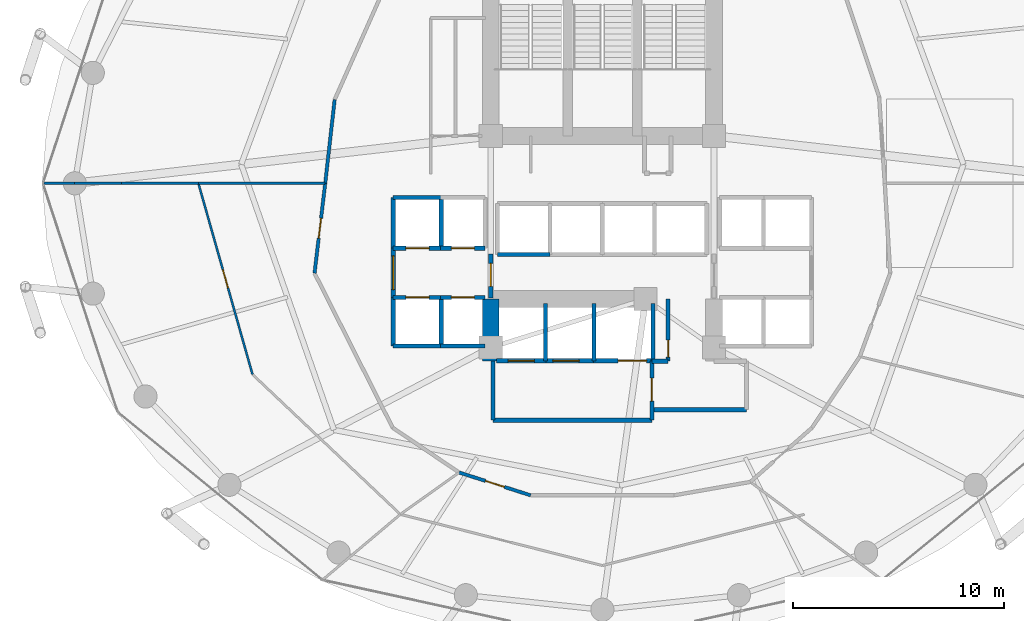
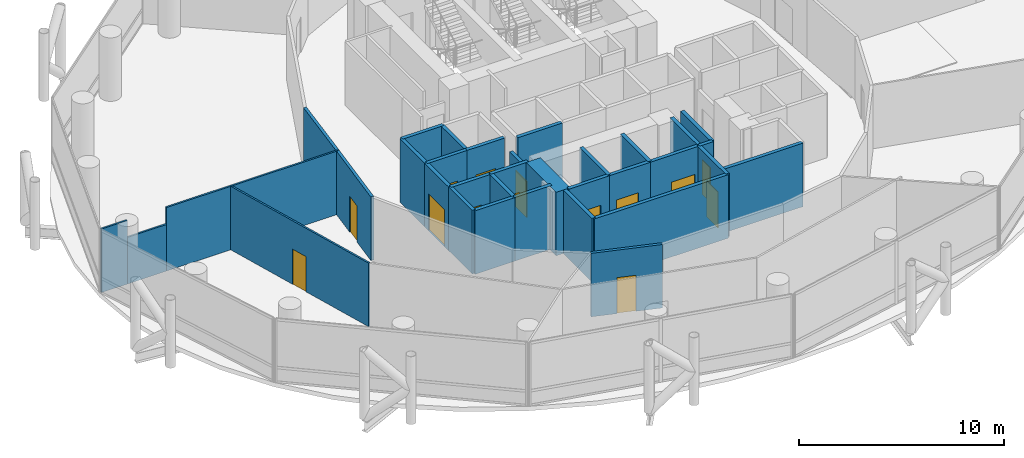
# One storey, part 21 of 24: 35 walls, 14 doors, 14 openings.
"""IFC4 building model written with IfcOpenShell, lengths in metres."""

from ifc_helpers import new_model, si_unit, direction, frame, frame_2d, origin, place, context, subcontext, project, spatial, rectangle, extrude, material, layer, layer_set, type_object, element, fill, save


model = new_model("IFC4")

# Units and contexts
model_context = context("Model", 3, precision=1e-05, world=origin(), true_north=direction((0.0, 1.0)))
body_context = subcontext(model_context, "Body", "Model", "MODEL_VIEW")
ifc_project = project(units=[si_unit("LENGTHUNIT", "METRE"), si_unit("AREAUNIT", "SQUARE_METRE"), si_unit("VOLUMEUNIT", "CUBIC_METRE"), si_unit("PLANEANGLEUNIT", "RADIAN"), si_unit("MASSUNIT", "GRAM", prefix="KILO")], contexts=[model_context])

# Site, building, storey
site_placement = place(None, origin())
site = spatial("IfcSite", under=ifc_project, at=site_placement, CompositionType="ELEMENT")
building_placement = place(site_placement, origin())
building = spatial("IfcBuilding", under=site, at=building_placement, Name="Nuhasar Tower", CompositionType="ELEMENT")
storey_placement = place(building_placement, frame((0.0, 0.0, 37.199951171875)))
storey = spatial("IfcBuildingStorey", under=building, at=storey_placement, Name="L08", CompositionType="ELEMENT", Elevation=37.199951171875)

# Walls
ifc_material_1 = material(Name="Concrete C80/95", Category="concrete")
ifc_layer_1 = layer(ifc_material_1, 0.800048828125)
ifc_layer_set_1 = layer_set([ifc_layer_1], Name="Concrete C80/95")
wall_type_1 = type_object("IfcWallType", Name="WL-CORE-800", PredefinedType="SHEAR", material=ifc_layer_set_1)
wall_1_placement = place(storey_placement, frame((33.699951171875, 18.35009765625, 0.0), z_axis=(0.0, 0.0, 1.0), x_axis=(0.0, 1.0, 0.0)))
element("IfcWall", 1, at=wall_1_placement, inside=storey, type_object=wall_type_1, Name="L08 Core Shear Wall CW-SW CW-800", PredefinedType="SHEAR", context=body_context, shape_type="SweptSolid", body=[
    extrude(rectangle(XDim=2.949951171875, YDim=0.800048828125, at=frame_2d((1.47509765625, 0.0))), origin(), (0.0, 0.0, 1.0), 3.7900390625),
])
ifc_material_2 = material(Name="Gypsum Board", Category="gypsum")
ifc_layer_2 = layer(ifc_material_2, 0.159912109375)
ifc_layer_set_2 = layer_set([ifc_layer_2], Name="Gypsum Board")
wall_type_2 = type_object("IfcWallType", Name="WL-CORR-160", PredefinedType="PARTITIONING", material=ifc_layer_set_2)
wall_2_placement = place(storey_placement, frame((26.2880859375, 30.77001953125, 0.0), z_axis=(0.0, 0.0, 1.0), x_axis=(-0.112134962735, -0.993692985852, 0.0)))
element("IfcWall", 2, at=wall_2_placement, inside=storey, type_object=wall_type_2, Name="L08 Interior Partition CORR-22", PredefinedType="PARTITIONING", context=body_context, shape_type="SweptSolid", body=[
    extrude(rectangle(XDim=3.9951171875, YDim=0.159912109375, at=frame_2d((1.99755859375, 0.0))), origin(), (0.0, 0.0, 1.0), 3.7900390625),
])

# Wall, opening, door
wall_3_placement = place(storey_placement, frame((25.3330078125, 22.531982421875, 0.0), z_axis=(0.0, 0.0, 1.0), x_axis=(0.117978184462, 0.993016187175, 0.0)))
wall_3 = element("IfcWall", 3, at=wall_3_placement, inside=storey, type_object=wall_type_2, Name="L08 Interior Partition CORR-24", PredefinedType="PARTITIONING", context=body_context, shape_type="SweptSolid", body=[
    extrude(rectangle(XDim=4.298095703125, YDim=0.159912109375, at=frame_2d((2.14892578125, 0.0))), origin(), (0.0, 0.0, 1.0), 3.7900390625),
])
opening_1_placement = place(wall_3_placement, frame((1.674072265625, 0.0, 0.0)))
opening_1 = element("IfcOpeningElement", 4, at=opening_1_placement, cuts=wall_3, Name="Opening DO-01", PredefinedType="OPENING", context=body_context, shape_type="SweptSolid", body=[
    extrude(rectangle(XDim=0.949951171875, YDim=2.14990234375, at=frame_2d((0.47509765625, 1.074951171875))), frame((0.0, 0.08984375, 0.0), z_axis=(0.0, -1.0, 0.0), x_axis=(1.0, 0.0, 0.0)), (0.0, 0.0, 1.0), 0.179931640625),
])
ifc_material_3 = material(Name="Timber Oak", Category="wood")
door_type_1 = type_object("IfcDoorType", Name="DR-OFFICE-FD30-950", OperationType="NOTDEFINED", PredefinedType="DOOR", material=ifc_material_3)
door_1_placement = place(opening_1_placement, origin())
door_1 = element("IfcDoor", 5, at=door_1_placement, inside=storey, type_object=door_type_1, Name="L08 South-West Executive Partners Office Entry Door", OperationType="SINGLE_SWING_LEFT", OverallHeight=2.14990234375, OverallWidth=0.949951171875, PredefinedType="DOOR", context=body_context, shape_type="SweptSolid", body=[
    extrude(rectangle(XDim=0.949951171875, YDim=2.14990234375, at=frame_2d((0.47509765625, 1.074951171875))), frame((0.0, 0.02490234375, 0.0), z_axis=(0.0, -1.0, 0.0), x_axis=(1.0, 0.0, 0.0)), (0.0, 0.0, 1.0), 0.050048828125),
])
fill(opening_1, door_1)

wall_4_placement = place(storey_placement, frame((35.593994140625, 11.98291015625, 0.0), z_axis=(0.0, 0.0, 1.0), x_axis=(-0.952646548559, 0.304079847275, 0.0)))
wall_4 = element("IfcWall", 6, at=wall_4_placement, inside=storey, type_object=wall_type_2, Name="L08 Interior Partition CORR-32", PredefinedType="PARTITIONING", context=body_context, shape_type="SweptSolid", body=[
    extrude(rectangle(XDim=3.564697265625, YDim=0.159912109375, at=frame_2d((1.7822265625, 0.0))), origin(), (0.0, 0.0, 1.0), 3.7900390625),
])
opening_2_placement = place(wall_4_placement, frame((1.306884765625, 0.0, 0.0)))
opening_2 = element("IfcOpeningElement", 7, at=opening_2_placement, cuts=wall_4, Name="Opening DO-01", PredefinedType="OPENING", context=body_context, shape_type="SweptSolid", body=[
    extrude(rectangle(XDim=0.949951171875, YDim=2.14990234375, at=frame_2d((0.47509765625, 1.074951171875))), frame((0.0, 0.08984375, 0.0), z_axis=(0.0, -1.0, 0.0), x_axis=(1.0, 0.0, 0.0)), (0.0, 0.0, 1.0), 0.179931640625),
])
door_2_placement = place(opening_2_placement, origin())
door_2 = element("IfcDoor", 8, at=door_2_placement, inside=storey, type_object=door_type_1, Name="L08 South-Central Advisory Office Entry Door", OperationType="SINGLE_SWING_RIGHT", OverallHeight=2.14990234375, OverallWidth=0.949951171875, PredefinedType="DOOR", context=body_context, shape_type="SweptSolid", body=[
    extrude(rectangle(XDim=0.949951171875, YDim=2.14990234375, at=frame_2d((0.47509765625, 1.074951171875))), frame((0.0, 0.02490234375, 0.0), z_axis=(0.0, -1.0, 0.0), x_axis=(1.0, 0.0, 0.0)), (0.0, 0.0, 1.0), 0.050048828125),
])
fill(opening_2, door_2)

ifc_material_4 = material(Name="Concrete C45/55", Category="concrete")
ifc_layer_3 = layer(ifc_material_4, 0.199951171875)
ifc_layer_set_3 = layer_set([ifc_layer_3], Name="Concrete C45/55")
wall_type_3 = type_object("IfcWallType", Name="WL-LOBBY-200", PredefinedType="SOLIDWALL", material=ifc_layer_set_3)
wall_5_placement = place(storey_placement, frame((29.070068359375, 21.3798828125, 0.0), z_axis=(0.0, 0.0, 1.0), x_axis=(0.0, 1.0, 0.0)))
wall_5 = element("IfcWall", 9, at=wall_5_placement, inside=storey, type_object=wall_type_3, Name="L08 Interior Partition LLBL-W", PredefinedType="SOLIDWALL", context=body_context, shape_type="SweptSolid", body=[
    extrude(rectangle(XDim=2.340087890625, YDim=0.199951171875, at=frame_2d((1.169921875, 0.0))), origin(), (0.0, 0.0, 1.0), 3.7900390625),
])
opening_3_placement = place(wall_5_placement, frame((0.3701171875, 0.0, 0.0)))
opening_3 = element("IfcOpeningElement", 10, at=opening_3_placement, cuts=wall_5, Name="Opening DC-01", PredefinedType="OPENING", context=body_context, shape_type="SweptSolid", body=[
    extrude(rectangle(XDim=1.60009765625, YDim=2.199951171875, at=frame_2d((0.800048828125, 1.10009765625))), frame((0.0, 0.10986328125, 0.0), z_axis=(0.0, -1.0, 0.0), x_axis=(1.0, 0.0, 0.0)), (0.0, 0.0, 1.0), 0.219970703125),
])
ifc_material_5 = material(Name="Steel S355", Category="steel")
door_type_2 = type_object("IfcDoorType", Name="DR-CORR-FD60-1600", OperationType="DOUBLE_DOOR_SINGLE_SWING", PredefinedType="DOOR", material=ifc_material_5)
door_3_placement = place(opening_3_placement, origin())
door_3 = element("IfcDoor", 11, at=door_3_placement, inside=storey, type_object=door_type_2, Name="L08 Low-Rise Lift Lobby West Entry", OperationType="DOUBLE_DOOR_SINGLE_SWING", OverallHeight=2.199951171875, OverallWidth=1.60009765625, PredefinedType="DOOR", context=body_context, shape_type="SweptSolid", body=[
    extrude(rectangle(XDim=1.60009765625, YDim=2.199951171875, at=frame_2d((0.800048828125, 1.10009765625))), frame((0.0, 0.02490234375, 0.0), z_axis=(0.0, -1.0, 0.0), x_axis=(1.0, 0.0, 0.0)), (0.0, 0.0, 1.0), 0.050048828125),
])
fill(opening_3, door_3)

wall_6_placement = place(storey_placement, frame((33.699951171875, 21.35009765625, 0.0), z_axis=(0.0, 0.0, 1.0), x_axis=(0.0, 1.0, 0.0)))
wall_6 = element("IfcWall", 12, at=wall_6_placement, inside=storey, type_object=wall_type_3, Name="L08 Interior Partition LLBH-W", PredefinedType="SOLIDWALL", context=body_context, shape_type="SweptSolid", body=[
    extrude(rectangle(XDim=2.099853515625, YDim=0.199951171875, at=frame_2d((1.0498046875, 0.0))), origin(), (0.0, 0.0, 1.0), 3.010009765625),
])
opening_4_placement = place(wall_6_placement, frame((0.550048828125, 0.0, 0.0)))
opening_4 = element("IfcOpeningElement", 13, at=opening_4_placement, cuts=wall_6, Name="Opening DS-02", PredefinedType="OPENING", context=body_context, shape_type="SweptSolid", body=[
    extrude(rectangle(XDim=1.10009765625, YDim=2.14990234375, at=frame_2d((0.550048828125, 1.074951171875))), frame((0.0, 0.10986328125, 0.0), z_axis=(0.0, -1.0, 0.0), x_axis=(1.0, 0.0, 0.0)), (0.0, 0.0, 1.0), 0.219970703125),
])
door_type_3 = type_object("IfcDoorType", Name="DR-FFL-FD120-1100", OperationType="NOTDEFINED", PredefinedType="DOOR", material=ifc_material_5)
door_4_placement = place(opening_4_placement, origin())
door_4 = element("IfcDoor", 14, at=door_4_placement, inside=storey, type_object=door_type_3, Name="L08 High-Rise Lobby West Door", OperationType="SINGLE_SWING_RIGHT", OverallHeight=2.14990234375, OverallWidth=1.10009765625, PredefinedType="DOOR", context=body_context, shape_type="SweptSolid", body=[
    extrude(rectangle(XDim=1.10009765625, YDim=2.14990234375, at=frame_2d((0.550048828125, 1.074951171875))), frame((0.0, 0.02490234375, 0.0), z_axis=(0.0, -1.0, 0.0), x_axis=(1.0, 0.0, 0.0)), (0.0, 0.0, 1.0), 0.050048828125),
])
fill(opening_4, door_4)

# Walls
wall_7_placement = place(storey_placement, frame((33.800048828125, 15.550048828125, 0.0), z_axis=(0.0, 0.0, 1.0), x_axis=(1.0, 0.0, 0.0)))
element("IfcWall", 15, at=wall_7_placement, inside=storey, type_object=wall_type_3, Name="L08 Interior Partition FFL-S", PredefinedType="SOLIDWALL", context=body_context, shape_type="SweptSolid", body=[
    extrude(rectangle(XDim=7.550048828125, YDim=0.199951171875, at=frame_2d((3.77490234375, 0.0))), origin(), (0.0, 0.0, 1.0), 3.7900390625),
])
wall_8_placement = place(storey_placement, frame((33.800048828125, 15.550048828125, 0.0), z_axis=(0.0, 0.0, 1.0), x_axis=(0.0, 1.0, 0.0)))
element("IfcWall", 16, at=wall_8_placement, inside=storey, type_object=wall_type_3, Name="L08 Interior Partition FFL-W", PredefinedType="SOLIDWALL", context=body_context, shape_type="SweptSolid", body=[
    extrude(rectangle(XDim=2.800048828125, YDim=0.199951171875, at=frame_2d((1.39990234375, 0.0))), origin(), (0.0, 0.0, 1.0), 3.7900390625),
])

# Wall, opening, door
wall_9_placement = place(storey_placement, frame((41.35009765625, 15.550048828125, 0.0), z_axis=(0.0, 0.0, 1.0), x_axis=(0.0, 1.0, 0.0)))
wall_9 = element("IfcWall", 17, at=wall_9_placement, inside=storey, type_object=wall_type_3, Name="L08 Interior Partition FFL-E", PredefinedType="SOLIDWALL", context=body_context, shape_type="SweptSolid", body=[
    extrude(rectangle(XDim=2.800048828125, YDim=0.199951171875, at=frame_2d((1.39990234375, 0.0))), origin(), (0.0, 0.0, 1.0), 3.7900390625),
])
opening_5_placement = place(wall_9_placement, frame((0.89990234375, 0.0, 0.0)))
opening_5 = element("IfcOpeningElement", 18, at=opening_5_placement, cuts=wall_9, Name="Opening DS-02", PredefinedType="OPENING", context=body_context, shape_type="SweptSolid", body=[
    extrude(rectangle(XDim=1.10009765625, YDim=2.14990234375, at=frame_2d((0.550048828125, 1.074951171875))), frame((0.0, 0.10986328125, 0.0), z_axis=(0.0, -1.0, 0.0), x_axis=(1.0, 0.0, 0.0)), (0.0, 0.0, 1.0), 0.219970703125),
])
door_5_placement = place(opening_5_placement, origin())
door_5 = element("IfcDoor", 19, at=door_5_placement, inside=storey, type_object=door_type_3, Name="L08 Firefighting Lobby Door", OperationType="SINGLE_SWING_RIGHT", OverallHeight=2.14990234375, OverallWidth=1.10009765625, PredefinedType="DOOR", context=body_context, shape_type="SweptSolid", body=[
    extrude(rectangle(XDim=1.10009765625, YDim=2.14990234375, at=frame_2d((0.550048828125, 1.074951171875))), frame((0.0, 0.02490234375, 0.0), z_axis=(0.0, -1.0, 0.0), x_axis=(1.0, 0.0, 0.0)), (0.0, 0.0, 1.0), 0.050048828125),
])
fill(opening_5, door_5)

# Walls
wall_10_placement = place(storey_placement, frame((41.35009765625, 16.050048828125, 0.0), z_axis=(0.0, 0.0, 1.0), x_axis=(1.0, 0.0, 0.0)))
element("IfcWall", 20, at=wall_10_placement, inside=storey, type_object=wall_type_3, Name="L08 Interior Partition SVLV-S", PredefinedType="SOLIDWALL", context=body_context, shape_type="SweptSolid", body=[
    extrude(rectangle(XDim=4.5, YDim=0.199951171875, at=frame_2d((2.25, 0.0))), origin(), (0.0, 0.0, 1.0), 3.7900390625),
])
ifc_material_6 = material(Name="Aluminium 6063-T6", Category="aluminium")
ifc_layer_4 = layer(ifc_material_6, 0.10009765625)
ifc_layer_set_4 = layer_set([ifc_layer_4], Name="Aluminium 6063-T6")
wall_type_4 = type_object("IfcWallType", Name="WL-MOVABLE-100", PredefinedType="MOVABLE", material=ifc_layer_set_4)
wall_11_placement = place(storey_placement, frame((25.840087890625, 26.800048828125, 0.0), z_axis=(0.0, 0.0, 1.0), x_axis=(-1.0, 0.0, 0.0)))
element("IfcWall", 21, at=wall_11_placement, inside=storey, type_object=wall_type_4, Name="L08 Interior Partition ORAD-24-S1", PredefinedType="MOVABLE", context=body_context, shape_type="SweptSolid", body=[
    extrude(rectangle(XDim=6.023193359375, YDim=0.10009765625, at=frame_2d((3.01171875, 0.0))), origin(), (0.0, 0.0, 1.0), 3.7900390625),
])
wall_12_placement = place(storey_placement, frame((19.81689453125, 26.800048828125, 0.0), z_axis=(0.0, 0.0, 1.0), x_axis=(-1.0, 0.0, 0.0)))
element("IfcWall", 22, at=wall_12_placement, inside=storey, type_object=wall_type_4, Name="L08 Interior Partition ORAD-24-S2", PredefinedType="MOVABLE", context=body_context, shape_type="SweptSolid", body=[
    extrude(rectangle(XDim=3.656982421875, YDim=0.10009765625, at=frame_2d((1.82861328125, 0.0))), origin(), (0.0, 0.0, 1.0), 3.7900390625),
])
wall_13_placement = place(storey_placement, frame((16.159912109375, 26.800048828125, 0.0), z_axis=(0.0, 0.0, 1.0), x_axis=(-1.0, 0.0, 0.0)))
element("IfcWall", 23, at=wall_13_placement, inside=storey, type_object=wall_type_4, Name="L08 Interior Partition ORAD-24-S2", PredefinedType="MOVABLE", context=body_context, shape_type="SweptSolid", body=[
    extrude(rectangle(XDim=2.2158203125, YDim=0.10009765625, at=frame_2d((1.10791015625, 0.0))), origin(), (0.0, 0.0, 1.0), 2.780029296875),
])
wall_14_placement = place(storey_placement, frame((13.944091796875, 26.800048828125, 0.0), z_axis=(0.0, 0.0, 1.0), x_axis=(-1.0, 0.0, 0.0)))
element("IfcWall", 24, at=wall_14_placement, inside=storey, type_object=wall_type_4, Name="L08 Interior Partition ORAD-24-S2", PredefinedType="MOVABLE", context=body_context, shape_type="SweptSolid", body=[
    extrude(rectangle(XDim=1.468994140625, YDim=0.10009765625, at=frame_2d((0.734375, 0.0))), origin(), (0.0, 0.0, 1.0), 3.7900390625),
])

# Wall, opening, door
wall_15_placement = place(storey_placement, frame((22.386962890625, 17.72412109375, 0.0), z_axis=(0.0, 0.0, 1.0), x_axis=(-0.272460813616, 0.962166880039, 0.0)))
wall_15 = element("IfcWall", 25, at=wall_15_placement, inside=storey, type_object=wall_type_4, Name="L08 Interior Partition OMID-03-24", PredefinedType="MOVABLE", context=body_context, shape_type="SweptSolid", body=[
    extrude(rectangle(XDim=9.432861328125, YDim=0.10009765625, at=frame_2d((4.71630859375, 0.0))), origin(), (0.0, 0.0, 1.0), 3.7900390625),
])
opening_6_placement = place(wall_15_placement, frame((4.26611328125, 0.0, 0.0)))
opening_6 = element("IfcOpeningElement", 26, at=opening_6_placement, cuts=wall_15, Name="Opening DR-01", PredefinedType="OPENING", context=body_context, shape_type="SweptSolid", body=[
    extrude(rectangle(XDim=0.89990234375, YDim=2.10009765625, at=frame_2d((0.449951171875, 1.050048828125))), frame((0.0, 0.06005859375, 0.0), z_axis=(0.0, -1.0, 0.0), x_axis=(1.0, 0.0, 0.0)), (0.0, 0.0, 1.0), 0.1201171875),
])
door_type_4 = type_object("IfcDoorType", Name="DR-ROOM-900", OperationType="NOTDEFINED", PredefinedType="DOOR", material=ifc_material_3)
door_6_placement = place(opening_6_placement, origin())
door_6 = element("IfcDoor", 27, at=door_6_placement, inside=storey, type_object=door_type_4, Name="L08 South-West Executive Partners Office Inner Door", OperationType="SINGLE_SWING_LEFT", OverallHeight=2.10009765625, OverallWidth=0.89990234375, PredefinedType="DOOR", context=body_context, shape_type="SweptSolid", body=[
    extrude(rectangle(XDim=0.89990234375, YDim=2.10009765625, at=frame_2d((0.449951171875, 1.050048828125))), frame((0.0, 0.02490234375, 0.0), z_axis=(0.0, -1.0, 0.0), x_axis=(1.0, 0.0, 0.0)), (0.0, 0.0, 1.0), 0.050048828125),
])
fill(opening_6, door_6)

ifc_layer_5 = layer(ifc_material_4, 0.199951171875)
ifc_layer_set_5 = layer_set([ifc_layer_5], Name="Concrete C45/55")
wall_type_5 = type_object("IfcWallType", Name="WL-SHAFT-200", PredefinedType="SOLIDWALL", material=ifc_layer_set_5)
wall_16_placement = place(storey_placement, frame((29.070068359375, 23.719970703125, 0.0), z_axis=(0.0, 0.0, 1.0), x_axis=(1.0, 0.0, 0.0)))
wall_16 = element("IfcWall", 28, at=wall_16_placement, inside=storey, type_object=wall_type_5, Name="L08 Interior Partition SHF-PL-L01-S", PredefinedType="SOLIDWALL", context=body_context, shape_type="SweptSolid", body=[
    extrude(rectangle(XDim=2.309814453125, YDim=0.199951171875, at=frame_2d((1.15478515625, 0.0))), origin(), (0.0, 0.0, 1.0), 3.7900390625),
])
opening_7_placement = place(wall_16_placement, frame((0.60498046875, 0.0, 0.0)))
opening_7 = element("IfcOpeningElement", 29, at=opening_7_placement, cuts=wall_16, Name="Opening LD-L01", PredefinedType="OPENING", context=body_context, shape_type="SweptSolid", body=[
    extrude(rectangle(XDim=1.10009765625, YDim=2.14990234375, at=frame_2d((0.550048828125, 1.074951171875))), frame((0.0, 0.10986328125, 0.0), z_axis=(0.0, -1.0, 0.0), x_axis=(1.0, 0.0, 0.0)), (0.0, 0.0, 1.0), 0.219970703125),
])
ifc_material_7 = material(Name="Stainless Steel 316L", Category="steel")
door_type_5 = type_object("IfcDoorType", Name="LD-PAX-1100", OperationType="DOUBLE_DOOR_SLIDING", PredefinedType="DOOR", material=ifc_material_7)
door_7_placement = place(opening_7_placement, origin())
door_7 = element("IfcDoor", 30, at=door_7_placement, inside=storey, type_object=door_type_5, Name="L08 Lift Landing Door PL-L01", OperationType="DOUBLE_DOOR_SLIDING", OverallHeight=2.14990234375, OverallWidth=1.10009765625, PredefinedType="DOOR", context=body_context, shape_type="SweptSolid", body=[
    extrude(rectangle(XDim=1.10009765625, YDim=2.14990234375, at=frame_2d((0.550048828125, 1.074951171875))), frame((0.0, 0.02490234375, 0.0), z_axis=(0.0, -1.0, 0.0), x_axis=(1.0, 0.0, 0.0)), (0.0, 0.0, 1.0), 0.050048828125),
])
fill(opening_7, door_7)

# Walls
wall_17_placement = place(storey_placement, frame((29.070068359375, 26.1298828125, 0.0), z_axis=(0.0, 0.0, 1.0), x_axis=(1.0, 0.0, 0.0)))
element("IfcWall", 31, at=wall_17_placement, inside=storey, type_object=wall_type_5, Name="L08 Interior Partition SHF-PL-L01-N", PredefinedType="SOLIDWALL", context=body_context, shape_type="SweptSolid", body=[
    extrude(rectangle(XDim=2.309814453125, YDim=0.199951171875, at=frame_2d((1.15478515625, 0.0))), origin(), (0.0, 0.0, 1.0), 3.7900390625),
])
for number, where, z_axis, x_axis, name in (
    (32, (29.070068359375, 23.719970703125, 0.0), (0.0, 0.0, 1.0), (0.0, 1.0, 0.0), "L08 Interior Partition SHF-PL-L01-W"),
    (33, (31.35009765625, 23.719970703125, 0.0), (0.0, 0.0, 1.0), (0.0, 1.0, 0.0), "L08 Interior Partition SHF-PL-L01-E"),
):
    element("IfcWall", number, at=place(storey_placement, frame(where, z_axis=z_axis, x_axis=x_axis)), inside=storey, type_object=wall_type_5, Name=name, PredefinedType="SOLIDWALL", context=body_context, shape_type="SweptSolid", body=[
        extrude(rectangle(XDim=2.409912109375, YDim=0.199951171875, at=frame_2d((1.205078125, 0.0))), origin(), (0.0, 0.0, 1.0), 3.7900390625),
    ])

# Wall, opening, door
wall_18_placement = place(storey_placement, frame((31.320068359375, 23.719970703125, 0.0), z_axis=(0.0, 0.0, 1.0), x_axis=(1.0, 0.0, 0.0)))
wall_18 = element("IfcWall", 34, at=wall_18_placement, inside=storey, type_object=wall_type_5, Name="L08 Interior Partition SHF-PL-L02-S", PredefinedType="SOLIDWALL", context=body_context, shape_type="SweptSolid", body=[
    extrude(rectangle(XDim=2.10986328125, YDim=0.199951171875, at=frame_2d((1.054931640625, 0.0))), origin(), (0.0, 0.0, 1.0), 3.7900390625),
])
opening_8_placement = place(wall_18_placement, frame((0.5048828125, 0.0, 0.0)))
opening_8 = element("IfcOpeningElement", 35, at=opening_8_placement, cuts=wall_18, Name="Opening LD-L02", PredefinedType="OPENING", context=body_context, shape_type="SweptSolid", body=[
    extrude(rectangle(XDim=1.10009765625, YDim=2.14990234375, at=frame_2d((0.550048828125, 1.074951171875))), frame((0.0, 0.10986328125, 0.0), z_axis=(0.0, -1.0, 0.0), x_axis=(1.0, 0.0, 0.0)), (0.0, 0.0, 1.0), 0.219970703125),
])
door_8_placement = place(opening_8_placement, origin())
door_8 = element("IfcDoor", 36, at=door_8_placement, inside=storey, type_object=door_type_5, Name="L08 Lift Landing Door PL-L02", OperationType="DOUBLE_DOOR_SLIDING", OverallHeight=2.14990234375, OverallWidth=1.10009765625, PredefinedType="DOOR", context=body_context, shape_type="SweptSolid", body=[
    extrude(rectangle(XDim=1.10009765625, YDim=2.14990234375, at=frame_2d((0.550048828125, 1.074951171875))), frame((0.0, 0.02490234375, 0.0), z_axis=(0.0, -1.0, 0.0), x_axis=(1.0, 0.0, 0.0)), (0.0, 0.0, 1.0), 0.050048828125),
])
fill(opening_8, door_8)

# Wall
wall_19_placement = place(storey_placement, frame((29.070068359375, 19.070068359375, 0.0), z_axis=(0.0, 0.0, 1.0), x_axis=(1.0, 0.0, 0.0)))
element("IfcWall", 37, at=wall_19_placement, inside=storey, type_object=wall_type_5, Name="L08 Interior Partition SHF-PL-L03-S", PredefinedType="SOLIDWALL", context=body_context, shape_type="SweptSolid", body=[
    extrude(rectangle(XDim=2.309814453125, YDim=0.199951171875, at=frame_2d((1.15478515625, 0.0))), origin(), (0.0, 0.0, 1.0), 3.7900390625),
])

# Wall, opening, door
wall_20_placement = place(storey_placement, frame((29.070068359375, 21.3798828125, 0.0), z_axis=(0.0, 0.0, 1.0), x_axis=(1.0, 0.0, 0.0)))
wall_20 = element("IfcWall", 38, at=wall_20_placement, inside=storey, type_object=wall_type_5, Name="L08 Interior Partition SHF-PL-L03-N", PredefinedType="SOLIDWALL", context=body_context, shape_type="SweptSolid", body=[
    extrude(rectangle(XDim=2.309814453125, YDim=0.199951171875, at=frame_2d((1.15478515625, 0.0))), origin(), (0.0, 0.0, 1.0), 3.7900390625),
])
opening_9_placement = place(wall_20_placement, frame((0.60498046875, 0.0, 0.0)))
opening_9 = element("IfcOpeningElement", 39, at=opening_9_placement, cuts=wall_20, Name="Opening LD-L03", PredefinedType="OPENING", context=body_context, shape_type="SweptSolid", body=[
    extrude(rectangle(XDim=1.10009765625, YDim=2.14990234375, at=frame_2d((0.550048828125, 1.074951171875))), frame((0.0, 0.10986328125, 0.0), z_axis=(0.0, -1.0, 0.0), x_axis=(1.0, 0.0, 0.0)), (0.0, 0.0, 1.0), 0.219970703125),
])
door_9_placement = place(opening_9_placement, origin())
door_9 = element("IfcDoor", 40, at=door_9_placement, inside=storey, type_object=door_type_5, Name="L08 Lift Landing Door PL-L03", OperationType="DOUBLE_DOOR_SLIDING", OverallHeight=2.14990234375, OverallWidth=1.10009765625, PredefinedType="DOOR", context=body_context, shape_type="SweptSolid", body=[
    extrude(rectangle(XDim=1.10009765625, YDim=2.14990234375, at=frame_2d((0.550048828125, 1.074951171875))), frame((0.0, 0.02490234375, 0.0), z_axis=(0.0, -1.0, 0.0), x_axis=(1.0, 0.0, 0.0)), (0.0, 0.0, 1.0), 0.050048828125),
])
fill(opening_9, door_9)

# Walls
for number, where, z_axis, x_axis, name in (
    (41, (29.070068359375, 19.070068359375, 0.0), (0.0, 0.0, 1.0), (0.0, 1.0, 0.0), "L08 Interior Partition SHF-PL-L03-W"),
    (42, (31.35009765625, 19.070068359375, 0.0), (0.0, 0.0, 1.0), (0.0, 1.0, 0.0), "L08 Interior Partition SHF-PL-L03-E"),
):
    element("IfcWall", number, at=place(storey_placement, frame(where, z_axis=z_axis, x_axis=x_axis)), inside=storey, type_object=wall_type_5, Name=name, PredefinedType="SOLIDWALL", context=body_context, shape_type="SweptSolid", body=[
        extrude(rectangle(XDim=2.309814453125, YDim=0.199951171875, at=frame_2d((1.15478515625, 0.0))), origin(), (0.0, 0.0, 1.0), 3.7900390625),
    ])
wall_21_placement = place(storey_placement, frame((31.320068359375, 19.070068359375, 0.0), z_axis=(0.0, 0.0, 1.0), x_axis=(1.0, 0.0, 0.0)))
element("IfcWall", 43, at=wall_21_placement, inside=storey, type_object=wall_type_5, Name="L08 Interior Partition SHF-PL-L04-S", PredefinedType="SOLIDWALL", context=body_context, shape_type="SweptSolid", body=[
    extrude(rectangle(XDim=2.10986328125, YDim=0.199951171875, at=frame_2d((1.054931640625, 0.0))), origin(), (0.0, 0.0, 1.0), 3.7900390625),
])

# Wall, opening, door
wall_22_placement = place(storey_placement, frame((31.320068359375, 21.3798828125, 0.0), z_axis=(0.0, 0.0, 1.0), x_axis=(1.0, 0.0, 0.0)))
wall_22 = element("IfcWall", 44, at=wall_22_placement, inside=storey, type_object=wall_type_5, Name="L08 Interior Partition SHF-PL-L04-N", PredefinedType="SOLIDWALL", context=body_context, shape_type="SweptSolid", body=[
    extrude(rectangle(XDim=2.10986328125, YDim=0.199951171875, at=frame_2d((1.054931640625, 0.0))), origin(), (0.0, 0.0, 1.0), 3.7900390625),
])
opening_10_placement = place(wall_22_placement, frame((0.5048828125, 0.0, 0.0)))
opening_10 = element("IfcOpeningElement", 45, at=opening_10_placement, cuts=wall_22, Name="Opening LD-L04", PredefinedType="OPENING", context=body_context, shape_type="SweptSolid", body=[
    extrude(rectangle(XDim=1.10009765625, YDim=2.14990234375, at=frame_2d((0.550048828125, 1.074951171875))), frame((0.0, 0.10986328125, 0.0), z_axis=(0.0, -1.0, 0.0), x_axis=(1.0, 0.0, 0.0)), (0.0, 0.0, 1.0), 0.219970703125),
])
door_10_placement = place(opening_10_placement, origin())
door_10 = element("IfcDoor", 46, at=door_10_placement, inside=storey, type_object=door_type_5, Name="L08 Lift Landing Door PL-L04", OperationType="DOUBLE_DOOR_SLIDING", OverallHeight=2.14990234375, OverallWidth=1.10009765625, PredefinedType="DOOR", context=body_context, shape_type="SweptSolid", body=[
    extrude(rectangle(XDim=1.10009765625, YDim=2.14990234375, at=frame_2d((0.550048828125, 1.074951171875))), frame((0.0, 0.02490234375, 0.0), z_axis=(0.0, -1.0, 0.0), x_axis=(1.0, 0.0, 0.0)), (0.0, 0.0, 1.0), 0.050048828125),
])
fill(opening_10, door_10)

# Wall
wall_23_placement = place(storey_placement, frame((34.02001953125, 23.419921875, 0.0), z_axis=(0.0, 0.0, 1.0), x_axis=(1.0, 0.0, 0.0)))
element("IfcWall", 47, at=wall_23_placement, inside=storey, type_object=wall_type_5, Name="L08 Interior Partition SHF-PL-H01-S", PredefinedType="SOLIDWALL", context=body_context, shape_type="SweptSolid", body=[
    extrude(rectangle(XDim=2.5, YDim=0.199951171875, at=frame_2d((1.25, 0.0))), origin(), (0.0, 0.0, 1.0), 3.7900390625),
])

# Wall, opening, door
wall_24_placement = place(storey_placement, frame((33.969970703125, 18.3701171875, 0.0), z_axis=(0.0, 0.0, 1.0), x_axis=(1.0, 0.0, 0.0)))
wall_24 = element("IfcWall", 48, at=wall_24_placement, inside=storey, type_object=wall_type_5, Name="L08 Interior Partition SHF-FFL-01-S", PredefinedType="SOLIDWALL", context=body_context, shape_type="SweptSolid", body=[
    extrude(rectangle(XDim=2.360107421875, YDim=0.199951171875, at=frame_2d((1.18017578125, 0.0))), origin(), (0.0, 0.0, 1.0), 3.7900390625),
])
opening_11_placement = place(wall_24_placement, frame((0.554931640625, 0.0, 0.0)))
opening_11 = element("IfcOpeningElement", 49, at=opening_11_placement, cuts=wall_24, Name="Opening LD-F01", PredefinedType="OPENING", context=body_context, shape_type="SweptSolid", body=[
    extrude(rectangle(XDim=1.25, YDim=2.199951171875, at=frame_2d((0.625, 1.10009765625))), frame((0.0, 0.10986328125, 0.0), z_axis=(0.0, -1.0, 0.0), x_axis=(1.0, 0.0, 0.0)), (0.0, 0.0, 1.0), 0.219970703125),
])
door_type_6 = type_object("IfcDoorType", Name="LD-FFL-1250", OperationType="DOUBLE_DOOR_SLIDING", PredefinedType="DOOR", material=ifc_material_7)
door_11_placement = place(opening_11_placement, origin())
door_11 = element("IfcDoor", 50, at=door_11_placement, inside=storey, type_object=door_type_6, Name="L08 Lift Landing Door FFL-01", OperationType="DOUBLE_DOOR_SLIDING", OverallHeight=2.199951171875, OverallWidth=1.25, PredefinedType="DOOR", context=body_context, shape_type="SweptSolid", body=[
    extrude(rectangle(XDim=1.25, YDim=2.199951171875, at=frame_2d((0.625, 1.10009765625))), frame((0.0, 0.02490234375, 0.0), z_axis=(0.0, -1.0, 0.0), x_axis=(1.0, 0.0, 0.0)), (0.0, 0.0, 1.0), 0.050048828125),
])
fill(opening_11, door_11)

# Wall
wall_25_placement = place(storey_placement, frame((36.300048828125, 18.3701171875, 0.0), z_axis=(0.0, 0.0, 1.0), x_axis=(0.0, 1.0, 0.0)))
element("IfcWall", 51, at=wall_25_placement, inside=storey, type_object=wall_type_5, Name="L08 Interior Partition SHF-FFL-01-E", PredefinedType="SOLIDWALL", context=body_context, shape_type="SweptSolid", body=[
    extrude(rectangle(XDim=2.7099609375, YDim=0.199951171875, at=frame_2d((1.35498046875, 0.0))), origin(), (0.0, 0.0, 1.0), 3.7900390625),
])

# Wall, opening, door
wall_26_placement = place(storey_placement, frame((36.27001953125, 18.3701171875, 0.0), z_axis=(0.0, 0.0, 1.0), x_axis=(1.0, 0.0, 0.0)))
wall_26 = element("IfcWall", 52, at=wall_26_placement, inside=storey, type_object=wall_type_5, Name="L08 Interior Partition SHF-FFL-02-S", PredefinedType="SOLIDWALL", context=body_context, shape_type="SweptSolid", body=[
    extrude(rectangle(XDim=2.35986328125, YDim=0.199951171875, at=frame_2d((1.179931640625, 0.0))), origin(), (0.0, 0.0, 1.0), 3.7900390625),
])
opening_12_placement = place(wall_26_placement, frame((0.3798828125, 0.0, 0.0)))
opening_12 = element("IfcOpeningElement", 53, at=opening_12_placement, cuts=wall_26, Name="Opening LD-F02", PredefinedType="OPENING", context=body_context, shape_type="SweptSolid", body=[
    extrude(rectangle(XDim=1.25, YDim=2.199951171875, at=frame_2d((0.625, 1.10009765625))), frame((0.0, 0.10986328125, 0.0), z_axis=(0.0, -1.0, 0.0), x_axis=(1.0, 0.0, 0.0)), (0.0, 0.0, 1.0), 0.219970703125),
])
door_12_placement = place(opening_12_placement, origin())
door_12 = element("IfcDoor", 54, at=door_12_placement, inside=storey, type_object=door_type_6, Name="L08 Lift Landing Door FFL-02", OperationType="DOUBLE_DOOR_SLIDING", OverallHeight=2.199951171875, OverallWidth=1.25, PredefinedType="DOOR", context=body_context, shape_type="SweptSolid", body=[
    extrude(rectangle(XDim=1.25, YDim=2.199951171875, at=frame_2d((0.625, 1.10009765625))), frame((0.0, 0.02490234375, 0.0), z_axis=(0.0, -1.0, 0.0), x_axis=(1.0, 0.0, 0.0)), (0.0, 0.0, 1.0), 0.050048828125),
])
fill(opening_12, door_12)

# Wall
wall_27_placement = place(storey_placement, frame((38.60009765625, 18.3701171875, 0.0), z_axis=(0.0, 0.0, 1.0), x_axis=(0.0, 1.0, 0.0)))
element("IfcWall", 55, at=wall_27_placement, inside=storey, type_object=wall_type_5, Name="L08 Interior Partition SHF-FFL-02-E", PredefinedType="SOLIDWALL", context=body_context, shape_type="SweptSolid", body=[
    extrude(rectangle(XDim=2.7099609375, YDim=0.199951171875, at=frame_2d((1.35498046875, 0.0))), origin(), (0.0, 0.0, 1.0), 3.7900390625),
])

# Wall, opening, door
wall_28_placement = place(storey_placement, frame((38.570068359375, 18.3701171875, 0.0), z_axis=(0.0, 0.0, 1.0), x_axis=(1.0, 0.0, 0.0)))
wall_28 = element("IfcWall", 56, at=wall_28_placement, inside=storey, type_object=wall_type_5, Name="L08 Interior Partition SHF-SVL-01-S", PredefinedType="SOLIDWALL", context=body_context, shape_type="SweptSolid", body=[
    extrude(rectangle(XDim=2.829833984375, YDim=0.199951171875, at=frame_2d((1.4150390625, 0.0))), origin(), (0.0, 0.0, 1.0), 3.7900390625),
])
opening_13_placement = place(wall_28_placement, frame((1.179931640625, 0.0, 0.0)))
opening_13 = element("IfcOpeningElement", 57, at=opening_13_placement, cuts=wall_28, Name="Opening LD-S01", PredefinedType="OPENING", context=body_context, shape_type="SweptSolid", body=[
    extrude(rectangle(XDim=1.35009765625, YDim=2.179931640625, at=frame_2d((0.675048828125, 1.08984375))), frame((0.0, 0.10986328125, 0.0), z_axis=(0.0, -1.0, 0.0), x_axis=(1.0, 0.0, 0.0)), (0.0, 0.0, 1.0), 0.219970703125),
])
door_type_7 = type_object("IfcDoorType", Name="LD-SVL-1350", OperationType="DOUBLE_DOOR_SLIDING", PredefinedType="DOOR", material=ifc_material_7)
door_13_placement = place(opening_13_placement, origin())
door_13 = element("IfcDoor", 58, at=door_13_placement, inside=storey, type_object=door_type_7, Name="L08 Lift Landing Door SVL-01", OperationType="DOUBLE_DOOR_SLIDING", OverallHeight=2.179931640625, OverallWidth=1.35009765625, PredefinedType="DOOR", context=body_context, shape_type="SweptSolid", body=[
    extrude(rectangle(XDim=1.35009765625, YDim=2.179931640625, at=frame_2d((0.675048828125, 1.08984375))), frame((0.0, 0.02490234375, 0.0), z_axis=(0.0, -1.0, 0.0), x_axis=(1.0, 0.0, 0.0)), (0.0, 0.0, 1.0), 0.050048828125),
])
fill(opening_13, door_13)

# Wall
wall_29_placement = place(storey_placement, frame((41.39990234375, 18.3701171875, 0.0), z_axis=(0.0, 0.0, 1.0), x_axis=(0.0, 1.0, 0.0)))
element("IfcWall", 59, at=wall_29_placement, inside=storey, type_object=wall_type_5, Name="L08 Interior Partition SHF-SVL-01-E", PredefinedType="SOLIDWALL", context=body_context, shape_type="SweptSolid", body=[
    extrude(rectangle(XDim=2.7099609375, YDim=0.199951171875, at=frame_2d((1.35498046875, 0.0))), origin(), (0.0, 0.0, 1.0), 3.7900390625),
])

# Wall, opening, door
wall_30_placement = place(storey_placement, frame((42.1201171875, 18.35009765625, 0.0), z_axis=(0.0, 0.0, 1.0), x_axis=(0.0, 1.0, 0.0)))
wall_30 = element("IfcWall", 60, at=wall_30_placement, inside=storey, type_object=wall_type_5, Name="L08 Interior Partition RSR-E", PredefinedType="SOLIDWALL", context=body_context, shape_type="SweptSolid", body=[
    extrude(rectangle(XDim=2.949951171875, YDim=0.199951171875, at=frame_2d((1.47509765625, 0.0))), origin(), (0.0, 0.0, 1.0), 3.7900390625),
])
opening_14_placement = place(wall_30_placement, frame((0.199951171875, 0.0, 0.0)))
opening_14 = element("IfcOpeningElement", 61, at=opening_14_placement, cuts=wall_30, Name="Opening DM-01", PredefinedType="OPENING", context=body_context, shape_type="SweptSolid", body=[
    extrude(rectangle(XDim=0.800048828125, YDim=2.050048828125, at=frame_2d((0.39990234375, 1.02490234375))), frame((0.0, 0.10986328125, 0.0), z_axis=(0.0, -1.0, 0.0), x_axis=(1.0, 0.0, 0.0)), (0.0, 0.0, 1.0), 0.219970703125),
])
door_type_8 = type_object("IfcDoorType", Name="DR-RISER-FD60-800", OperationType="NOTDEFINED", PredefinedType="DOOR", material=ifc_material_5)
door_14_placement = place(opening_14_placement, origin())
door_14 = element("IfcDoor", 62, at=door_14_placement, inside=storey, type_object=door_type_8, Name="L08 MEP Riser Access Door", OperationType="SINGLE_SWING_LEFT", OverallHeight=2.050048828125, OverallWidth=0.800048828125, PredefinedType="DOOR", context=body_context, shape_type="SweptSolid", body=[
    extrude(rectangle(XDim=0.800048828125, YDim=2.050048828125, at=frame_2d((0.39990234375, 1.02490234375))), frame((0.0, 0.02490234375, 0.0), z_axis=(0.0, -1.0, 0.0), x_axis=(1.0, 0.0, 0.0)), (0.0, 0.0, 1.0), 0.050048828125),
])
fill(opening_14, door_14)

# Wall
wall_31_placement = place(storey_placement, frame((41.35009765625, 18.35009765625, 0.0), z_axis=(0.0, 0.0, 1.0), x_axis=(1.0, 0.0, 0.0)))
element("IfcWall", 63, at=wall_31_placement, inside=storey, type_object=wall_type_5, Name="L08 Interior Partition RSR-S", PredefinedType="SOLIDWALL", context=body_context, shape_type="SweptSolid", body=[
    extrude(rectangle(XDim=0.77001953125, YDim=0.199951171875, at=frame_2d((0.385009765625, 0.0))), origin(), (0.0, 0.0, 1.0), 3.7900390625),
])

save(model, "model.ifc")
